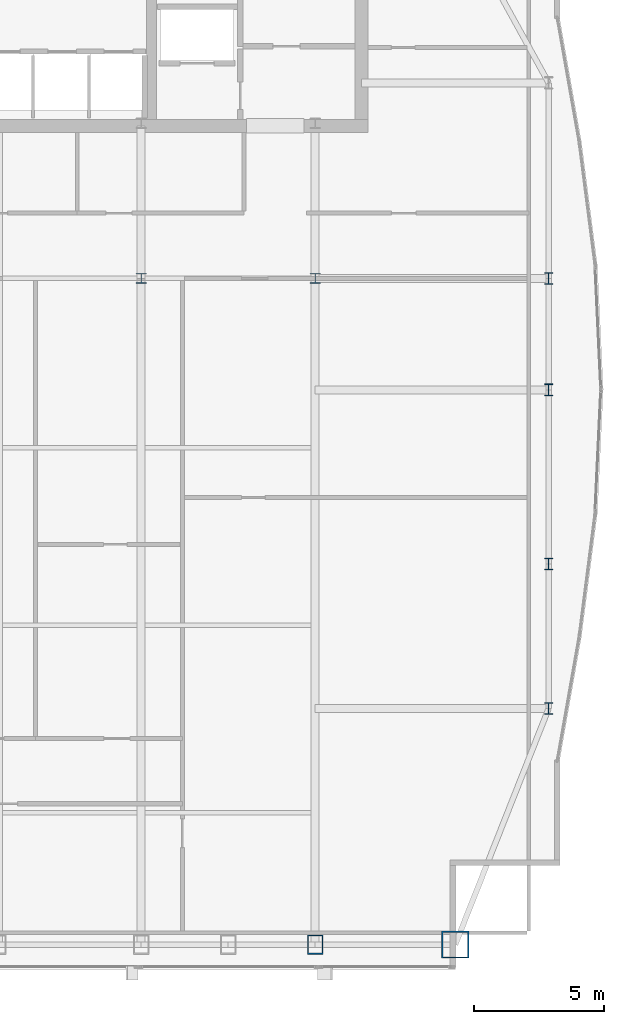
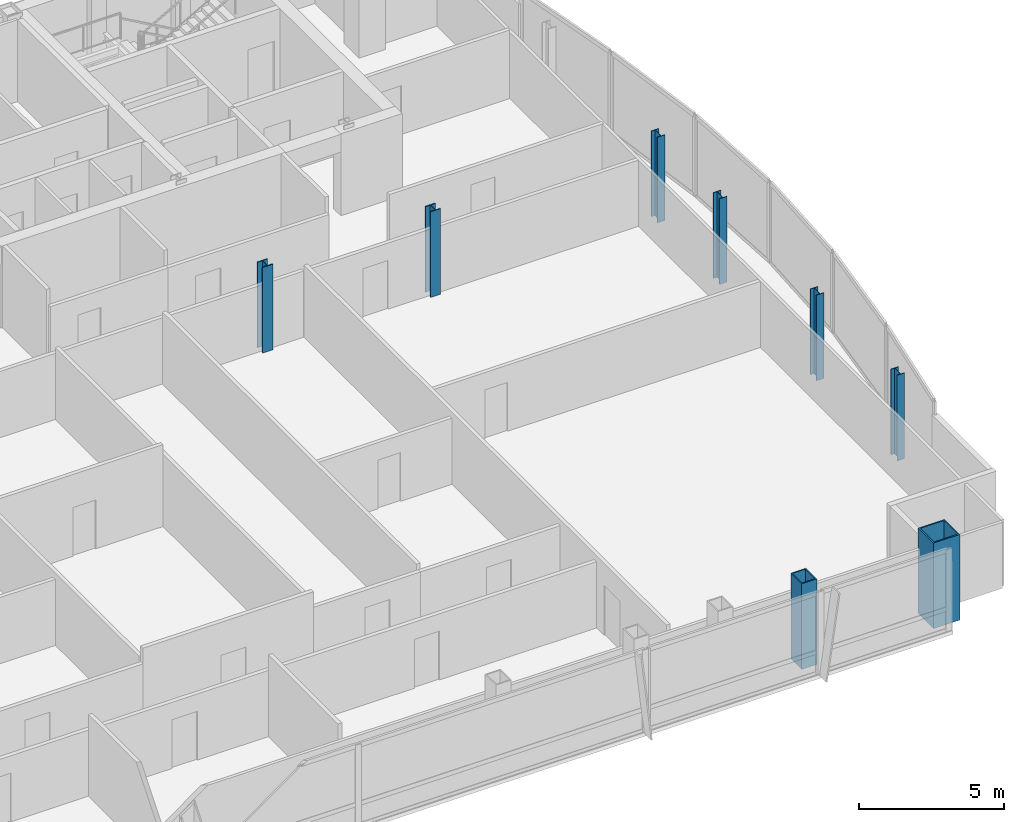
# One storey, part 2 of 30: 8 columns.
"""IFC4 building model written with IfcOpenShell, lengths in metres."""

import ifcopenshell
import ifcopenshell.guid

model = None  # the IFC model being written
_history = None  # IfcOwnerHistory: only IFC2X3 demands one
_inside = {}  # id of a spatial element -> (the spatial element, [elements in it])
_under = {}  # id of a project, library or spatial element -> (it, [spatial elements below it])
_declared = {}  # id of a project -> (the project, [libraries it declares])
_typed = {}  # id of a type object -> (the type object, [elements of that type])
_made_of = {}  # id of a material, layer set ... -> (it, [elements and type objects made of it])


def new_model(schema):
    """Start an empty IFC model of exactly this schema.

    Asked for "IFC4X3", IfcOpenShell would pick the latest addendum, in which some entities
    have other attributes; the version numbers below select the first issue.
    IFC2X3 requires an IfcOwnerHistory on every rooted entity: one is made here for all.
    """
    global model, _history
    if schema == "IFC4X3":
        model = ifcopenshell.file(schema_version=(4, 3, 0, 0))
    else:
        model = ifcopenshell.file(schema=schema)
    _inside.clear()
    _under.clear()
    _declared.clear()
    _typed.clear()
    _made_of.clear()
    _history = None
    if model.schema == "IFC2X3":
        org = make("IfcOrganization", Name="unknown")
        user = make(
            "IfcPersonAndOrganization",
            ThePerson=make("IfcPerson", FamilyName="unknown"),
            TheOrganization=org,
        )
        app = make(
            "IfcApplication",
            ApplicationDeveloper=org,
            Version="unknown",
            ApplicationFullName="unknown",
            ApplicationIdentifier="unknown",
        )
        _history = make(
            "IfcOwnerHistory",
            OwningUser=user,
            OwningApplication=app,
            ChangeAction="ADDED",
            CreationDate=0,
        )
    return model


def make(cls, **values):
    """One entity of the class cls with the attributes given. An attribute that is None is left unset."""
    return model.create_entity(
        cls, **{name: value for name, value in values.items() if value is not None}
    )


def rooted(cls, **values):
    """An entity with a GlobalId (a new one), such as an element, a storey or a relation."""
    return make(cls, GlobalId=ifcopenshell.guid.new(), OwnerHistory=_history, **values)


def si_unit(unit_type, name, prefix=None):
    """IfcSIUnit, for example si_unit("LENGTHUNIT", "METRE", prefix="MILLI")."""
    return make("IfcSIUnit", UnitType=unit_type, Prefix=prefix, Name=name)


def assignment(units):
    """IfcUnitAssignment: the units of a project."""
    return None if units is None else make("IfcUnitAssignment", Units=units)


def point(xyz):
    """IfcCartesianPoint."""
    return None if xyz is None else make("IfcCartesianPoint", Coordinates=xyz)


def direction(xyz):
    """IfcDirection."""
    return None if xyz is None else make("IfcDirection", DirectionRatios=xyz)


def frame(location, z_axis=None, x_axis=None):
    """IfcAxis2Placement3D, a coordinate frame: its origin and axes. An axis left out is left unset."""
    return make(
        "IfcAxis2Placement3D",
        Location=point(location),
        Axis=direction(z_axis),
        RefDirection=direction(x_axis),
    )


def frame_2d(location, x_axis=None):
    """IfcAxis2Placement2D, a coordinate frame in the plane: its origin and x axis."""
    return make(
        "IfcAxis2Placement2D", Location=point(location), RefDirection=direction(x_axis)
    )


def origin():
    """The frame at (0, 0, 0) with its axes left unset."""
    return frame((0.0, 0.0, 0.0))


def origin_2d():
    """The frame at (0, 0) in the plane with its x axis left unset."""
    return frame_2d((0.0, 0.0))


def place(relative_to, where):
    """IfcLocalPlacement: puts the frame where relative to a parent placement (None: the world)."""
    return make(
        "IfcLocalPlacement", PlacementRelTo=relative_to, RelativePlacement=where
    )


def context(
    kind, dimensions, precision=None, world=None, true_north=None, identifier=None
):
    """IfcGeometricRepresentationContext, for example the 3D "Model" context."""
    return make(
        "IfcGeometricRepresentationContext",
        ContextIdentifier=identifier,
        ContextType=kind,
        CoordinateSpaceDimension=dimensions,
        Precision=precision,
        WorldCoordinateSystem=world,
        TrueNorth=true_north,
    )


def subcontext(parent, identifier, kind, view, scale=None):
    """IfcGeometricRepresentationSubContext, for example "Body" below "Model"."""
    return make(
        "IfcGeometricRepresentationSubContext",
        ContextIdentifier=identifier,
        ContextType=kind,
        ParentContext=parent,
        TargetScale=scale,
        TargetView=view,
    )


def project(units=None, contexts=None):
    """IfcProject with its units and contexts."""
    return rooted(
        "IfcProject",
        Name="project",
        RepresentationContexts=contexts,
        UnitsInContext=assignment(units),
    )


def spatial(cls, under=None, at=None, **own):
    """A site, building, storey or space (cls), placed at a placement, below another one or the project."""
    s = rooted(cls, ObjectPlacement=at, **own)
    if under is not None:
        _under.setdefault(under.id(), (under, []))[1].append(s)
    return s


def profile(cls, at=None, kind="AREA", **sizes):
    """A parametric profile (cls). Its sizes go by their IFC names, for example OverallWidth=200.0."""
    return make(cls, ProfileType=kind, Position=at, **sizes)


def hollow_rectangle(**sizes):
    """IfcRectangleHollowProfileDef."""
    return profile("IfcRectangleHollowProfileDef", **sizes)


def i_section(**sizes):
    """IfcIShapeProfileDef."""
    return profile("IfcIShapeProfileDef", **sizes)


def extrude(swept, where, along, depth):
    """IfcExtrudedAreaSolid: the profile swept, set in the frame where, extruded along a direction by depth."""
    return make(
        "IfcExtrudedAreaSolid",
        SweptArea=swept,
        Position=where,
        ExtrudedDirection=direction(along),
        Depth=depth,
    )


def shape(context_of_items, identifier, shape_type, items):
    """IfcShapeRepresentation: the items that make up one representation, for example the "Body"."""
    return make(
        "IfcShapeRepresentation",
        ContextOfItems=context_of_items,
        RepresentationIdentifier=identifier,
        RepresentationType=shape_type,
        Items=items,
    )


def material(Name=None, Category=None):
    """IfcMaterial."""
    return make("IfcMaterial", Name=Name, Category=Category)


def material_profile(
    of_material, cross_section, Name=None, Category=None, Priority=None
):
    """IfcMaterialProfile: a cross section and its material."""
    return make(
        "IfcMaterialProfile",
        Name=Name,
        Material=of_material,
        Profile=cross_section,
        Priority=Priority,
        Category=Category,
    )


def profile_set(profiles, Name=None, composite=None):
    """IfcMaterialProfileSet."""
    return make(
        "IfcMaterialProfileSet",
        Name=Name,
        MaterialProfiles=profiles,
        CompositeProfile=composite,
    )


def made_of(thing, what):
    """Note that an element or type object is made of a material, layer set ...; save() writes the relation."""
    if what is not None:
        _made_of.setdefault(what.id(), (what, []))[1].append(thing)
    return thing


def type_object(cls, material=None, **own):
    """A type object (cls), such as IfcWallType, which elements share."""
    return made_of(rooted(cls, **own), material)


def element(
    cls,
    number,
    at=None,
    inside=None,
    cuts=None,
    type_object=None,
    material=None,
    context=None,
    identifier="Body",
    shape_type=None,
    held_by="IfcProductDefinitionShape",
    body=None,
    shapes=None,
    **own,
):
    """One element of the class cls, such as IfcWall. Its Tag is "e" and its number.

    at: its placement. inside: the storey or other place that contains it. cuts: it is an
    opening in that element (IfcRelVoidsElement). A single representation is given by context,
    identifier, shape_type and body (its items); several are given by shapes. held_by: the class
    of the entity that holds the representations. save() writes the other relations.
    """
    e = rooted(cls, Tag="e%d" % number, ObjectPlacement=at, **own)
    if body is not None:
        shapes = [shape(context, identifier, shape_type, body)]
    if shapes is not None:
        e.Representation = make(held_by, Representations=shapes)
    if inside is not None:
        _inside.setdefault(inside.id(), (inside, []))[1].append(e)
    if cuts is not None:
        rooted(
            "IfcRelVoidsElement", RelatingBuildingElement=cuts, RelatedOpeningElement=e
        )
    if type_object is not None:
        _typed.setdefault(type_object.id(), (type_object, []))[1].append(e)
    return made_of(e, material)


def aggregate(whole, parts):
    """IfcRelAggregates: a whole, such as a stair, and the parts it consists of."""
    return rooted("IfcRelAggregates", RelatingObject=whole, RelatedObjects=parts)


def save(model, path):
    """Write the relations noted so far, then the file.

    IfcRelAggregates (storeys below a building ...), IfcRelContainedInSpatialStructure (elements
    in a storey), IfcRelDefinesByType, IfcRelAssociatesMaterial and IfcRelDeclares: one each for
    every whole, place, type object, material and project.
    """
    for whole, parts in _under.values():
        aggregate(whole, parts)
    for where, things in _inside.values():
        rooted(
            "IfcRelContainedInSpatialStructure",
            RelatedElements=things,
            RelatingStructure=where,
        )
    for kind, things in _typed.values():
        rooted("IfcRelDefinesByType", RelatedObjects=things, RelatingType=kind)
    for what, things in _made_of.values():
        rooted("IfcRelAssociatesMaterial", RelatedObjects=things, RelatingMaterial=what)
    for by, libraries in _declared.values():
        rooted("IfcRelDeclares", RelatingContext=by, RelatedDefinitions=libraries)
    model.write(path)


model = new_model("IFC4")

# Units and contexts
model_context = context("Model", 3, precision=1e-05, world=origin(), true_north=direction((0.0, 1.0)))
body_context = subcontext(model_context, "Body", "Model", "MODEL_VIEW")
ifc_project = project(units=[si_unit("LENGTHUNIT", "METRE"), si_unit("AREAUNIT", "SQUARE_METRE"), si_unit("VOLUMEUNIT", "CUBIC_METRE"), si_unit("PLANEANGLEUNIT", "RADIAN"), si_unit("MASSUNIT", "GRAM", prefix="KILO")], contexts=[model_context])

# Site, building, storey
site_placement = place(None, origin())
site = spatial("IfcSite", under=ifc_project, at=site_placement, CompositionType="ELEMENT")
building_placement = place(site_placement, origin())
building = spatial("IfcBuilding", under=site, at=building_placement, Name="Khoronbel Lancet Exchange", CompositionType="ELEMENT")
storey_placement = place(building_placement, frame((0.0, 0.0, 277.0)))
storey = spatial("IfcBuildingStorey", under=building, at=storey_placement, Name="L71", CompositionType="ELEMENT", Elevation=277.0)

# Columns
ifc_material_1 = material(Name="Steel S460", Category="steel")
ifc_material_profile_1 = material_profile(ifc_material_1, hollow_rectangle(XDim=0.60009765625, YDim=0.75, WallThickness=0.044921875, at=origin_2d()), Name="BOX 750x600x45")
ifc_profile_set_1 = profile_set([ifc_material_profile_1], Name="Steel S460")
column_type_1 = type_object("IfcColumnType", Name="COL-EC3", PredefinedType="COLUMN", material=ifc_profile_set_1)
column_1_placement = place(storey_placement, frame((54.675048828125, 10.14990234375, 0.0), z_axis=(0.0, 0.0, 1.0), x_axis=(1.0, 0.0, 0.0)))
element("IfcColumn", 1, at=column_1_placement, inside=storey, type_object=column_type_1, Name="Structural column SC-E2 L71", PredefinedType="COLUMN", context=body_context, shape_type="SweptSolid", body=[
    extrude(hollow_rectangle(XDim=0.60009765625, YDim=0.75, WallThickness=0.044921875, at=origin_2d()), origin(), (0.0, 0.0, 1.0), 3.60009765625),
])
ifc_material_2 = material(Name="Steel S355", Category="steel")
ifc_material_profile_2 = material_profile(ifc_material_2, i_section(OverallWidth=0.39892578125, OverallDepth=0.39306640625, WebThickness=0.022705078125, FlangeThickness=0.03662109375, at=origin_2d()), Name="HD 400x287")
ifc_profile_set_2 = profile_set([ifc_material_profile_2], Name="Steel S355")
column_type_2 = type_object("IfcColumnType", Name="COL-IC4", PredefinedType="COLUMN", material=ifc_profile_set_2)
for number, where, z_axis, x_axis, name in (
    (2, (48.0, 35.699951171875, 0.0), (0.0, 0.0, 1.0), (1.0, 0.0, 0.0), "Spine gravity column TC3 L71"),
    (3, (54.675048828125, 35.699951171875, 0.0), (0.0, 0.0, 1.0), (1.0, 0.0, 0.0), "Spine gravity column TC4 L71"),
):
    element("IfcColumn", number, at=place(storey_placement, frame(where, z_axis=z_axis, x_axis=x_axis)), inside=storey, type_object=column_type_2, Name=name, PredefinedType="COLUMN", context=body_context, shape_type="SweptSolid", body=[
        extrude(i_section(OverallWidth=0.39892578125, OverallDepth=0.39306640625, WebThickness=0.022705078125, FlangeThickness=0.03662109375, at=origin_2d()), origin(), (0.0, 0.0, 1.0), 3.60009765625),
    ])
ifc_material_profile_3 = material_profile(ifc_material_2, i_section(OverallWidth=0.300048828125, OverallDepth=0.449951171875, WebThickness=0.013916015625, FlangeThickness=0.02587890625, at=origin_2d()), Name="HEB 450")
ifc_profile_set_3 = profile_set([ifc_material_profile_3], Name="Steel S355")
column_type_3 = type_object("IfcColumnType", Name="COL-LC2", PredefinedType="COLUMN", material=ifc_profile_set_3)
for number, where, z_axis, x_axis, name in (
    (4, (63.6298828125, 19.199951171875, 0.0), (0.0, 0.0, 1.0), (1.0, 0.0, 0.0), "Structural column EC-1 L71"),
    (5, (63.6298828125, 24.75, 0.0), (0.0, 0.0, 1.0), (1.0, 0.0, 0.0), "Structural column EC-2 L71"),
    (6, (63.6298828125, 31.425048828125, 0.0), (0.0, 0.0, 1.0), (1.0, 0.0, 0.0), "Structural column EC-M L71"),
    (7, (63.6298828125, 35.699951171875, 0.0), (0.0, 0.0, 1.0), (1.0, 0.0, 0.0), "Structural column EC-3 L71"),
):
    element("IfcColumn", number, at=place(storey_placement, frame(where, z_axis=z_axis, x_axis=x_axis)), inside=storey, type_object=column_type_3, Name=name, PredefinedType="COLUMN", context=body_context, shape_type="SweptSolid", body=[
        extrude(i_section(OverallWidth=0.300048828125, OverallDepth=0.449951171875, WebThickness=0.013916015625, FlangeThickness=0.02587890625, at=origin_2d()), origin(), (0.0, 0.0, 1.0), 3.60009765625),
    ])
ifc_material_profile_4 = material_profile(ifc_material_1, hollow_rectangle(XDim=1.050048828125, YDim=1.050048828125, WallThickness=0.054931640625, at=origin_2d()), Name="BOX 1050x1050x55")
ifc_profile_set_4 = profile_set([ifc_material_profile_4], Name="Steel S460")
column_type_4 = type_object("IfcColumnType", Name="COL-MC6", PredefinedType="COLUMN", material=ifc_profile_set_4)
column_2_placement = place(storey_placement, frame((60.050048828125, 10.14990234375, 0.0), z_axis=(0.0, 0.0, 1.0), x_axis=(1.0, 0.0, 0.0)))
element("IfcColumn", 8, at=column_2_placement, inside=storey, type_object=column_type_4, Name="Structural column MC-SE L71", PredefinedType="COLUMN", context=body_context, shape_type="SweptSolid", body=[
    extrude(hollow_rectangle(XDim=1.050048828125, YDim=1.050048828125, WallThickness=0.054931640625, at=origin_2d()), origin(), (0.0, 0.0, 1.0), 3.60009765625),
])

save(model, "model.ifc")
